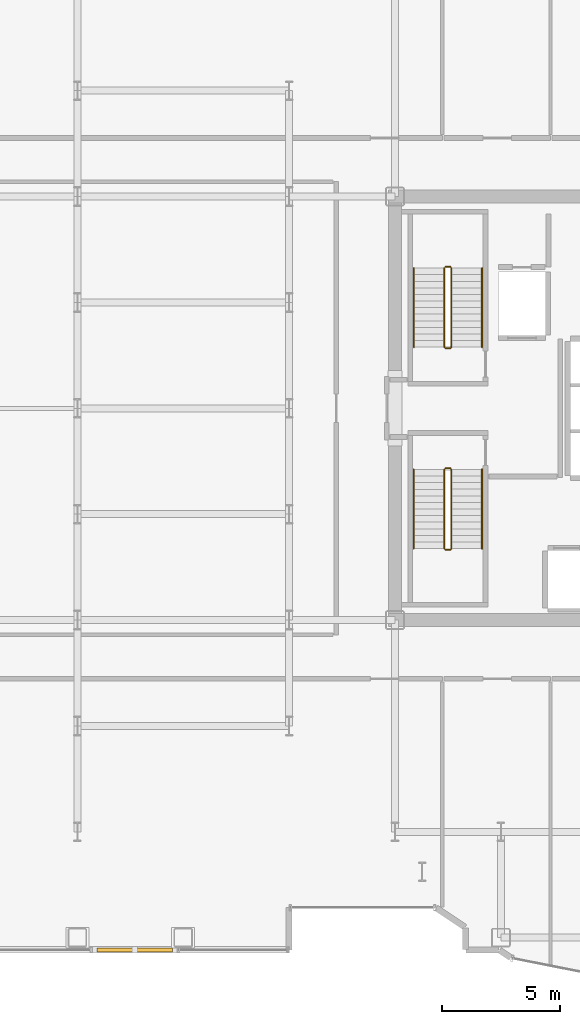
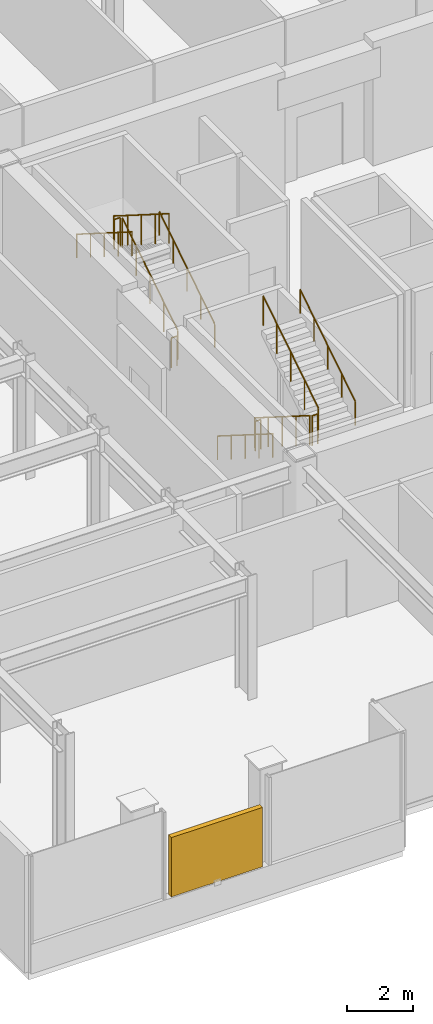
# One storey, part 24 of 26: 12 railings, 1 shading device.
"""IFC4 building model written with IfcOpenShell, lengths in metres."""

from ifc_helpers import new_model, si_unit, direction, frame, origin, origin_2d, place, context, subcontext, project, spatial, rectangle, circle, extrude, source, transform, mapped, material, type_object, element, save


model = new_model("IFC4")

# Units and contexts
model_context = context("Model", 3, precision=1e-05, world=origin(), true_north=direction((0.0, 1.0)))
body_context = subcontext(model_context, "Body", "Model", "MODEL_VIEW")
ifc_project = project(units=[si_unit("LENGTHUNIT", "METRE"), si_unit("AREAUNIT", "SQUARE_METRE"), si_unit("VOLUMEUNIT", "CUBIC_METRE"), si_unit("PLANEANGLEUNIT", "RADIAN"), si_unit("MASSUNIT", "GRAM", prefix="KILO")], contexts=[model_context])

# Site, building, storey
site_placement = place(None, origin())
site = spatial("IfcSite", under=ifc_project, at=site_placement, CompositionType="ELEMENT")
building_placement = place(site_placement, origin())
building = spatial("IfcBuilding", under=site, at=building_placement, Name="Nefas-Gora Pilgrimage Tower", CompositionType="ELEMENT")
storey_placement = place(building_placement, frame((0.0, 0.0, 202.0)))
storey = spatial("IfcBuildingStorey", under=building, at=storey_placement, Name="L50", CompositionType="ELEMENT", Elevation=202.0)

# Railings
ifc_material_1 = material(Name="Painted galvanised steel", Category="steel")
railing_type_1 = type_object("IfcRailingType", Name="RLG-STR-GUARD-1100", PredefinedType="GUARDRAIL", material=ifc_material_1)
railing_1_placement = place(storey_placement, frame((-8.85009765625, 2.60009765625, 0.177001953125)))
element("IfcRailing", 1, at=railing_1_placement, inside=storey, type_object=railing_type_1, Name="L50 ST-01 stair guard 1", PredefinedType="GUARDRAIL", context=body_context, shape_type="SweptSolid", body=[
    extrude(circle(Radius=0.02392578125, at=origin_2d()), frame((0.0, 0.0, 1.09619140625), z_axis=(0.0, 0.845372108799, 0.534177870812), x_axis=(-1.0, 0.0, 0.0)), (0.0, 0.0, 1.0), 3.974365234375),
    extrude(circle(Radius=0.02099609375, at=origin_2d()), origin(), (0.0, 0.0, 1.0), 1.072021484375),
    extrude(circle(Radius=0.02099609375, at=origin_2d()), frame((0.0, 0.83984375, 0.53076171875)), (0.0, 0.0, 1.0), 1.072021484375),
    extrude(circle(Radius=0.02099609375, at=origin_2d()), frame((0.0, 1.679931640625, 1.0615234375)), (0.0, 0.0, 1.0), 1.072021484375),
    extrude(circle(Radius=0.02099609375, at=origin_2d()), frame((0.0, 2.52001953125, 1.59228515625)), (0.0, 0.0, 1.0), 1.072021484375),
    extrude(circle(Radius=0.02099609375, at=origin_2d()), frame((0.0, 3.35986328125, 2.123046875)), (0.0, 0.0, 1.0), 1.072021484375),
])
railing_2_placement = place(storey_placement, frame((-8.89990234375, 6.010009765625, 2.300048828125)))
element("IfcRailing", 2, at=railing_2_placement, inside=storey, type_object=railing_type_1, Name="L50 ST-01 stair guard 2", PredefinedType="GUARDRAIL", context=body_context, shape_type="SweptSolid", body=[
    extrude(circle(Radius=0.02392578125, at=origin_2d()), frame((0.0, 0.0, 1.09619140625), z_axis=(-1.0, 0.0, 0.0), x_axis=(0.0, -1.0, 0.0)), (0.0, 0.0, 1.0), 0.2001953125),
    extrude(circle(Radius=0.02099609375, at=origin_2d()), origin(), (0.0, 0.0, 1.0), 1.072021484375),
    extrude(circle(Radius=0.02099609375, at=origin_2d()), frame((-0.2001953125, 0.0, 0.0)), (0.0, 0.0, 1.0), 1.072021484375),
])
railing_3_placement = place(storey_placement, frame((-9.14990234375, 5.9599609375, 2.476806640625)))
element("IfcRailing", 3, at=railing_3_placement, inside=storey, type_object=railing_type_1, Name="L50 ST-01 stair guard 3", PredefinedType="GUARDRAIL", context=body_context, shape_type="SweptSolid", body=[
    extrude(circle(Radius=0.02392578125, at=origin_2d()), frame((0.0, 0.0, 1.09619140625), z_axis=(0.0, -0.845344368971, 0.534221768416), x_axis=(1.0, 0.0, 0.0)), (0.0, 0.0, 1.0), 3.974609375),
    extrude(circle(Radius=0.02099609375, at=origin_2d()), origin(), (0.0, 0.0, 1.0), 1.072021484375),
    extrude(circle(Radius=0.02099609375, at=origin_2d()), frame((0.0, -0.83984375, 0.53076171875)), (0.0, 0.0, 1.0), 1.072021484375),
    extrude(circle(Radius=0.02099609375, at=origin_2d()), frame((0.0, -1.679931640625, 1.0615234375)), (0.0, 0.0, 1.0), 1.072021484375),
    extrude(circle(Radius=0.02099609375, at=origin_2d()), frame((0.0, -2.52001953125, 1.592529296875)), (0.0, 0.0, 1.0), 1.072021484375),
    extrude(circle(Radius=0.02099609375, at=origin_2d()), frame((0.0, -3.35986328125, 2.123291015625)), (0.0, 0.0, 1.0), 1.072021484375),
])
railing_4_placement = place(storey_placement, frame((-8.89990234375, 2.550048828125, 0.0)))
element("IfcRailing", 4, at=railing_4_placement, inside=storey, type_object=railing_type_1, Name="L50 ST-01 stair guard 4", PredefinedType="GUARDRAIL", context=body_context, shape_type="SweptSolid", body=[
    extrude(circle(Radius=0.02392578125, at=origin_2d()), frame((0.0, 0.0, 1.09619140625), z_axis=(-1.0, 0.0, 0.0), x_axis=(0.0, -1.0, 0.0)), (0.0, 0.0, 1.0), 0.2001953125),
    extrude(circle(Radius=0.02099609375, at=origin_2d()), origin(), (0.0, 0.0, 1.0), 1.072021484375),
    extrude(circle(Radius=0.02099609375, at=origin_2d()), frame((-0.2001953125, 0.0, 0.0)), (0.0, 0.0, 1.0), 1.072021484375),
])
railing_5_placement = place(storey_placement, frame((-9.14990234375, -2.60009765625, 0.177001953125)))
element("IfcRailing", 5, at=railing_5_placement, inside=storey, type_object=railing_type_1, Name="L50 ST-03 stair guard 1", PredefinedType="GUARDRAIL", context=body_context, shape_type="SweptSolid", body=[
    extrude(circle(Radius=0.02392578125, at=origin_2d()), frame((0.0, 0.0, 1.09619140625), z_axis=(0.0, -0.845372108799, 0.534177870812), x_axis=(1.0, 0.0, 0.0)), (0.0, 0.0, 1.0), 3.974365234375),
    extrude(circle(Radius=0.02099609375, at=origin_2d()), origin(), (0.0, 0.0, 1.0), 1.072021484375),
    extrude(circle(Radius=0.02099609375, at=origin_2d()), frame((0.0, -0.83984375, 0.53076171875)), (0.0, 0.0, 1.0), 1.072021484375),
    extrude(circle(Radius=0.02099609375, at=origin_2d()), frame((0.0, -1.679931640625, 1.0615234375)), (0.0, 0.0, 1.0), 1.072021484375),
    extrude(circle(Radius=0.02099609375, at=origin_2d()), frame((0.0, -2.52001953125, 1.59228515625)), (0.0, 0.0, 1.0), 1.072021484375),
    extrude(circle(Radius=0.02099609375, at=origin_2d()), frame((0.0, -3.35986328125, 2.123046875)), (0.0, 0.0, 1.0), 1.072021484375),
])
railing_6_placement = place(storey_placement, frame((-9.10009765625, -6.010009765625, 2.300048828125)))
element("IfcRailing", 6, at=railing_6_placement, inside=storey, type_object=railing_type_1, Name="L50 ST-03 stair guard 2", PredefinedType="GUARDRAIL", context=body_context, shape_type="SweptSolid", body=[
    extrude(circle(Radius=0.02392578125, at=origin_2d()), frame((0.0, 0.0, 1.09619140625), z_axis=(1.0, 0.0, 0.0), x_axis=(0.0, 1.0, 0.0)), (0.0, 0.0, 1.0), 0.2001953125),
    extrude(circle(Radius=0.02099609375, at=origin_2d()), origin(), (0.0, 0.0, 1.0), 1.072021484375),
    extrude(circle(Radius=0.02099609375, at=origin_2d()), frame((0.2001953125, 0.0, 0.0)), (0.0, 0.0, 1.0), 1.072021484375),
])
railing_7_placement = place(storey_placement, frame((-8.85009765625, -5.9599609375, 2.476806640625)))
element("IfcRailing", 7, at=railing_7_placement, inside=storey, type_object=railing_type_1, Name="L50 ST-03 stair guard 3", PredefinedType="GUARDRAIL", context=body_context, shape_type="SweptSolid", body=[
    extrude(circle(Radius=0.02392578125, at=origin_2d()), frame((0.0, 0.0, 1.09619140625), z_axis=(0.0, 0.845344368971, 0.534221768416), x_axis=(-1.0, 0.0, 0.0)), (0.0, 0.0, 1.0), 3.974609375),
    extrude(circle(Radius=0.02099609375, at=origin_2d()), origin(), (0.0, 0.0, 1.0), 1.072021484375),
    extrude(circle(Radius=0.02099609375, at=origin_2d()), frame((0.0, 0.83984375, 0.53076171875)), (0.0, 0.0, 1.0), 1.072021484375),
    extrude(circle(Radius=0.02099609375, at=origin_2d()), frame((0.0, 1.679931640625, 1.0615234375)), (0.0, 0.0, 1.0), 1.072021484375),
    extrude(circle(Radius=0.02099609375, at=origin_2d()), frame((0.0, 2.52001953125, 1.592529296875)), (0.0, 0.0, 1.0), 1.072021484375),
    extrude(circle(Radius=0.02099609375, at=origin_2d()), frame((0.0, 3.35986328125, 2.123291015625)), (0.0, 0.0, 1.0), 1.072021484375),
])
railing_8_placement = place(storey_placement, frame((-9.10009765625, -2.550048828125, 0.0)))
element("IfcRailing", 8, at=railing_8_placement, inside=storey, type_object=railing_type_1, Name="L50 ST-03 stair guard 4", PredefinedType="GUARDRAIL", context=body_context, shape_type="SweptSolid", body=[
    extrude(circle(Radius=0.02392578125, at=origin_2d()), frame((0.0, 0.0, 1.09619140625), z_axis=(1.0, 0.0, 0.0), x_axis=(0.0, 1.0, 0.0)), (0.0, 0.0, 1.0), 0.2001953125),
    extrude(circle(Radius=0.02099609375, at=origin_2d()), origin(), (0.0, 0.0, 1.0), 1.072021484375),
    extrude(circle(Radius=0.02099609375, at=origin_2d()), frame((0.2001953125, 0.0, 0.0)), (0.0, 0.0, 1.0), 1.072021484375),
])
ifc_material_2 = material(Name="Brushed stainless steel", Category="steel")
railing_type_2 = type_object("IfcRailingType", Name="RLG-STR-HAND-900", PredefinedType="HANDRAIL", material=ifc_material_2)
railing_9_placement = place(storey_placement, frame((-7.550048828125, 2.60009765625, 0.177001953125)))
element("IfcRailing", 9, at=railing_9_placement, inside=storey, type_object=railing_type_2, Name="L50 ST-01 stair handrail 1", PredefinedType="HANDRAIL", context=body_context, shape_type="SweptSolid", body=[
    extrude(circle(Radius=0.02392578125, at=origin_2d()), frame((0.0, 0.0, 0.8759765625), z_axis=(0.0, 0.845372108799, 0.534177870812), x_axis=(-1.0, 0.0, 0.0)), (0.0, 0.0, 1.0), 3.974365234375),
    extrude(circle(Radius=0.02099609375, at=origin_2d()), origin(), (0.0, 0.0, 1.0), 0.851806640625),
    extrude(circle(Radius=0.02099609375, at=origin_2d()), frame((0.0, 0.83984375, 0.53076171875)), (0.0, 0.0, 1.0), 0.851806640625),
    extrude(circle(Radius=0.02099609375, at=origin_2d()), frame((0.0, 1.679931640625, 1.0615234375)), (0.0, 0.0, 1.0), 0.851806640625),
    extrude(circle(Radius=0.02099609375, at=origin_2d()), frame((0.0, 2.52001953125, 1.59228515625)), (0.0, 0.0, 1.0), 0.851806640625),
    extrude(circle(Radius=0.02099609375, at=origin_2d()), frame((0.0, 3.35986328125, 2.123046875)), (0.0, 0.0, 1.0), 0.851806640625),
])
railing_10_placement = place(storey_placement, frame((-10.449951171875, 5.9599609375, 2.476806640625)))
element("IfcRailing", 10, at=railing_10_placement, inside=storey, type_object=railing_type_2, Name="L50 ST-01 stair handrail 2", PredefinedType="HANDRAIL", context=body_context, shape_type="SweptSolid", body=[
    extrude(circle(Radius=0.02392578125, at=origin_2d()), frame((0.0, 0.0, 0.8759765625), z_axis=(0.0, -0.845344368971, 0.534221768416), x_axis=(1.0, 0.0, 0.0)), (0.0, 0.0, 1.0), 3.974609375),
    extrude(circle(Radius=0.02099609375, at=origin_2d()), origin(), (0.0, 0.0, 1.0), 0.851806640625),
    extrude(circle(Radius=0.02099609375, at=origin_2d()), frame((0.0, -0.83984375, 0.53076171875)), (0.0, 0.0, 1.0), 0.851806640625),
    extrude(circle(Radius=0.02099609375, at=origin_2d()), frame((0.0, -1.679931640625, 1.0615234375)), (0.0, 0.0, 1.0), 0.851806640625),
    extrude(circle(Radius=0.02099609375, at=origin_2d()), frame((0.0, -2.52001953125, 1.592529296875)), (0.0, 0.0, 1.0), 0.851806640625),
    extrude(circle(Radius=0.02099609375, at=origin_2d()), frame((0.0, -3.35986328125, 2.123291015625)), (0.0, 0.0, 1.0), 0.851806640625),
])
railing_11_placement = place(storey_placement, frame((-10.449951171875, -2.60009765625, 0.177001953125)))
element("IfcRailing", 11, at=railing_11_placement, inside=storey, type_object=railing_type_2, Name="L50 ST-03 stair handrail 1", PredefinedType="HANDRAIL", context=body_context, shape_type="SweptSolid", body=[
    extrude(circle(Radius=0.02392578125, at=origin_2d()), frame((0.0, 0.0, 0.8759765625), z_axis=(0.0, -0.845372108799, 0.534177870812), x_axis=(1.0, 0.0, 0.0)), (0.0, 0.0, 1.0), 3.974365234375),
    extrude(circle(Radius=0.02099609375, at=origin_2d()), origin(), (0.0, 0.0, 1.0), 0.851806640625),
    extrude(circle(Radius=0.02099609375, at=origin_2d()), frame((0.0, -0.83984375, 0.53076171875)), (0.0, 0.0, 1.0), 0.851806640625),
    extrude(circle(Radius=0.02099609375, at=origin_2d()), frame((0.0, -1.679931640625, 1.0615234375)), (0.0, 0.0, 1.0), 0.851806640625),
    extrude(circle(Radius=0.02099609375, at=origin_2d()), frame((0.0, -2.52001953125, 1.59228515625)), (0.0, 0.0, 1.0), 0.851806640625),
    extrude(circle(Radius=0.02099609375, at=origin_2d()), frame((0.0, -3.35986328125, 2.123046875)), (0.0, 0.0, 1.0), 0.851806640625),
])
railing_12_placement = place(storey_placement, frame((-7.550048828125, -5.9599609375, 2.476806640625)))
element("IfcRailing", 12, at=railing_12_placement, inside=storey, type_object=railing_type_2, Name="L50 ST-03 stair handrail 2", PredefinedType="HANDRAIL", context=body_context, shape_type="SweptSolid", body=[
    extrude(circle(Radius=0.02392578125, at=origin_2d()), frame((0.0, 0.0, 0.8759765625), z_axis=(0.0, 0.845344368971, 0.534221768416), x_axis=(-1.0, 0.0, 0.0)), (0.0, 0.0, 1.0), 3.974609375),
    extrude(circle(Radius=0.02099609375, at=origin_2d()), origin(), (0.0, 0.0, 1.0), 0.851806640625),
    extrude(circle(Radius=0.02099609375, at=origin_2d()), frame((0.0, 0.83984375, 0.53076171875)), (0.0, 0.0, 1.0), 0.851806640625),
    extrude(circle(Radius=0.02099609375, at=origin_2d()), frame((0.0, 1.679931640625, 1.0615234375)), (0.0, 0.0, 1.0), 0.851806640625),
    extrude(circle(Radius=0.02099609375, at=origin_2d()), frame((0.0, 2.52001953125, 1.592529296875)), (0.0, 0.0, 1.0), 0.851806640625),
    extrude(circle(Radius=0.02099609375, at=origin_2d()), frame((0.0, 3.35986328125, 2.123291015625)), (0.0, 0.0, 1.0), 0.851806640625),
])

# Shading device
ifc_material_3 = material(Name="Dark-bronze anodised aluminium acoustic storm louvre", Category="aluminium")
shading_device_type = type_object("IfcShadingDeviceType", Name="SHD-LOUVRE-JAL", PredefinedType="JALOUSIE", material=ifc_material_3)
shared_shape = source(origin(), body_context, "Body", "SweptSolid", [
    extrude(rectangle(XDim=3.199951171875, YDim=0.179931640625, at=origin_2d()), origin(), (0.0, 0.0, 1.0), 2.199951171875),
])
shading_device_placement = place(storey_placement, frame((-22.31005859375, -23.02001953125, 1.10009765625), z_axis=(0.0, 0.0, 1.0), x_axis=(1.0, 0.0, 0.0)))
element("IfcShadingDevice", 13, at=shading_device_placement, inside=storey, type_object=shading_device_type, Name="L50 High-Altitude Storm Louvre Assembly 35", PredefinedType="JALOUSIE", context=body_context, shape_type="MappedRepresentation", body=[
    mapped(shared_shape, transform((0.0, 0.0, 0.0), x_axis=(1.0, 0.0, 0.0), y_axis=(0.0, 1.0, 0.0), z_axis=(0.0, 0.0, 1.0), scale=1.0)),
])

save(model, "model.ifc")
